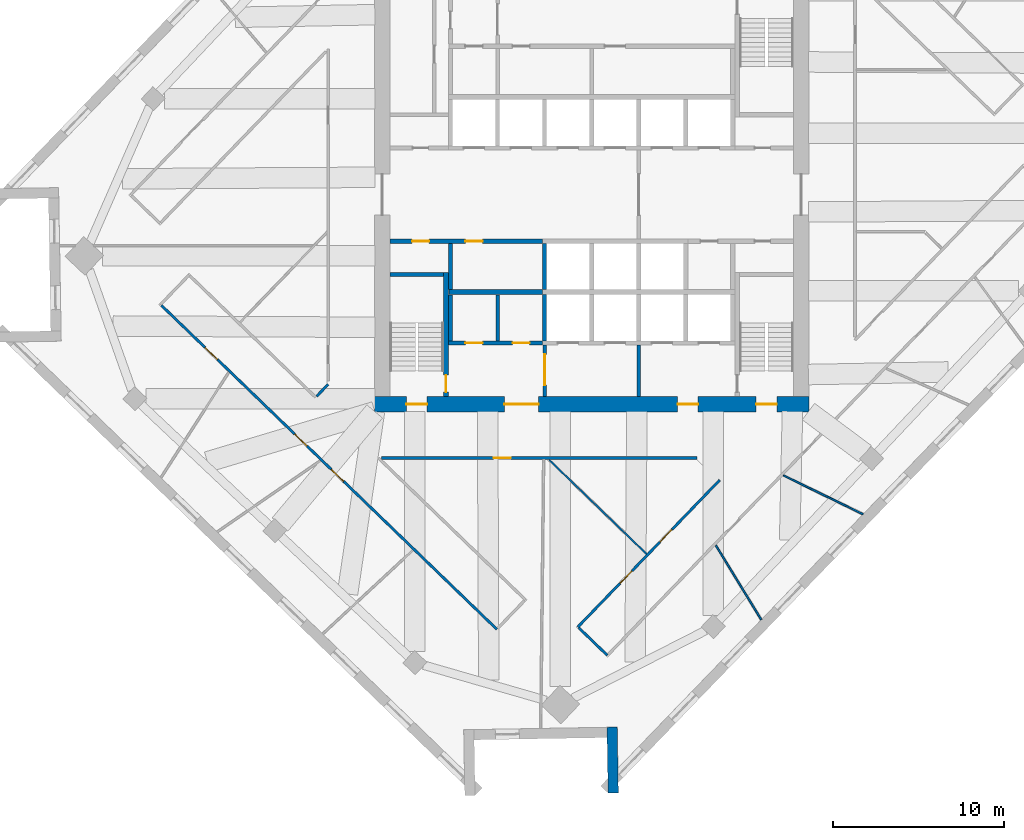
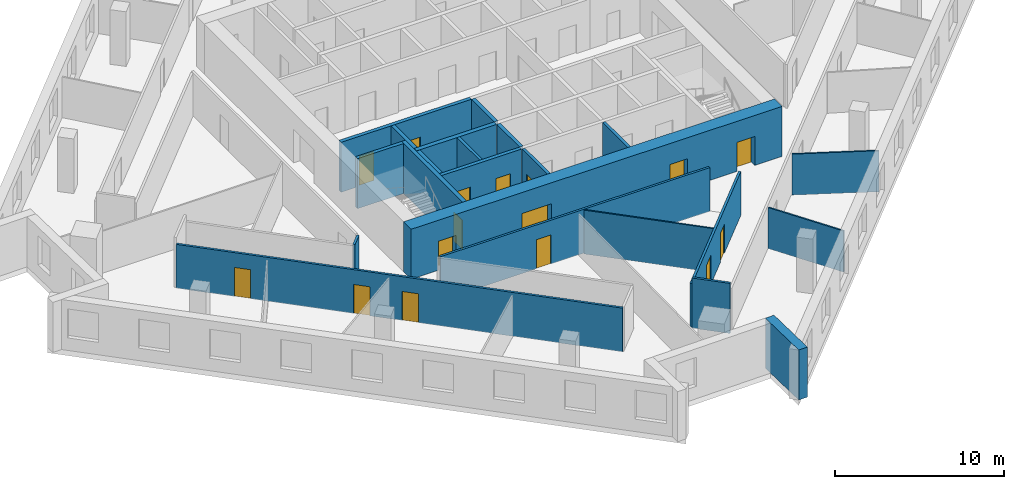
# One storey, part 6 of 13: 22 walls, 16 doors, 16 openings.
"""IFC4 building model written with IfcOpenShell, lengths in metres."""

from ifc_helpers import new_model, si_unit, direction, frame, frame_2d, origin, place, context, subcontext, project, spatial, rectangle, extrude, material, layer, layer_set, type_object, element, fill, save


model = new_model("IFC4")

# Units and contexts
model_context = context("Model", 3, precision=1e-05, world=origin(), true_north=direction((0.0, 1.0)))
body_context = subcontext(model_context, "Body", "Model", "MODEL_VIEW")
ifc_project = project(units=[si_unit("LENGTHUNIT", "METRE"), si_unit("AREAUNIT", "SQUARE_METRE"), si_unit("VOLUMEUNIT", "CUBIC_METRE"), si_unit("PLANEANGLEUNIT", "RADIAN"), si_unit("MASSUNIT", "GRAM", prefix="KILO")], contexts=[model_context])

# Site, building, storey
site_placement = place(None, origin())
site = spatial("IfcSite", under=ifc_project, at=site_placement, CompositionType="ELEMENT")
building_placement = place(site_placement, origin())
building = spatial("IfcBuilding", under=site, at=building_placement, Name="Dilmun Exchange Tower", CompositionType="ELEMENT")
storey_placement = place(building_placement, frame((0.0, 0.0, 209.300048828125)))
storey = spatial("IfcBuildingStorey", under=building, at=storey_placement, Name="L49", CompositionType="ELEMENT", Elevation=209.300048828125)

# Wall, opening, door
ifc_material_1 = material(Name="Concrete C40/50", Category="concrete")
ifc_layer_1 = layer(ifc_material_1, 0.199951171875)
ifc_layer_set_1 = layer_set([ifc_layer_1], Name="Concrete C40/50")
wall_type_1 = type_object("IfcWallType", Name="Core partition wall 200", PredefinedType="PARTITIONING", material=ifc_layer_set_1)
wall_1_placement = place(storey_placement, frame((-2.75, -11.794921875, 0.0), z_axis=(0.0, 0.0, 1.0), x_axis=(0.0, 1.0, 0.0)))
wall_1 = element("IfcWall", 1, at=wall_1_placement, inside=storey, type_object=wall_type_1, Name="L49 core partition wall 01", PredefinedType="PARTITIONING", context=body_context, shape_type="SweptSolid", body=[
    extrude(rectangle(XDim=2.989990234375, YDim=0.199951171875, at=frame_2d((1.4951171875, 0.0))), origin(), (0.0, 0.0, 1.0), 3.619873046875),
])
opening_1_placement = place(wall_1_placement, frame((0.657470703125, 0.0, 0.0)))
opening_1 = element("IfcOpeningElement", 2, at=opening_1_placement, cuts=wall_1, Name="Opening CD5", PredefinedType="OPENING", context=body_context, shape_type="SweptSolid", body=[
    extrude(rectangle(XDim=1.800048828125, YDim=2.10009765625, at=frame_2d((0.89990234375, 1.050048828125))), frame((0.0, 0.10986328125, 0.0), z_axis=(0.0, -1.0, 0.0), x_axis=(1.0, 0.0, 0.0)), (0.0, 0.0, 1.0), 0.219970703125),
])
ifc_material_2 = material(Name="Fire-rated steel door set", Category="steel")
door_type_1 = type_object("IfcDoorType", Name="Stair exit door 1800x2100", OperationType="SINGLE_SWING_LEFT", PredefinedType="DOOR", material=ifc_material_2)
door_1_placement = place(opening_1_placement, origin())
door_1 = element("IfcDoor", 3, at=door_1_placement, inside=storey, type_object=door_type_1, Name="L49 door Service lobby east", OperationType="SINGLE_SWING_LEFT", OverallHeight=2.10009765625, OverallWidth=1.800048828125, PredefinedType="DOOR", context=body_context, shape_type="SweptSolid", body=[
    extrude(rectangle(XDim=1.800048828125, YDim=2.10009765625, at=frame_2d((0.89990234375, 1.050048828125))), frame((0.0, 0.02490234375, 0.0), z_axis=(0.0, -1.0, 0.0), x_axis=(1.0, 0.0, 0.0)), (0.0, 0.0, 1.0), 0.050048828125),
])
fill(opening_1, door_1)

# Walls
wall_2_placement = place(storey_placement, frame((2.75, -11.794921875, 0.0), z_axis=(0.0, 0.0, 1.0), x_axis=(0.0, 1.0, 0.0)))
element("IfcWall", 4, at=wall_2_placement, inside=storey, type_object=wall_type_1, Name="L49 core partition wall 02", PredefinedType="PARTITIONING", context=body_context, shape_type="SweptSolid", body=[
    extrude(rectangle(XDim=2.989990234375, YDim=0.199951171875, at=frame_2d((1.4951171875, 0.0))), origin(), (0.0, 0.0, 1.0), 3.619873046875),
])
wall_3_placement = place(storey_placement, frame((-5.5, -8.544921875, 0.0), z_axis=(0.0, 0.0, 1.0), x_axis=(0.0, 1.0, 0.0)))
element("IfcWall", 5, at=wall_3_placement, inside=storey, type_object=wall_type_1, Name="L49 core partition wall 05", PredefinedType="PARTITIONING", context=body_context, shape_type="SweptSolid", body=[
    extrude(rectangle(XDim=2.68994140625, YDim=0.199951171875, at=frame_2d((1.344970703125, 0.0))), origin(), (0.0, 0.0, 1.0), 3.619873046875),
])

# Wall, openings, doors
ifc_layer_2 = layer(ifc_material_1, 0.25)
ifc_layer_set_2 = layer_set([ifc_layer_2], Name="Concrete C40/50")
wall_type_2 = type_object("IfcWallType", Name="Core partition wall 250", PredefinedType="PARTITIONING", material=ifc_layer_set_2)
wall_4_placement = place(storey_placement, frame((-8.3701171875, -8.675048828125, 0.0), z_axis=(0.0, 0.0, 1.0), x_axis=(1.0, 0.0, 0.0)))
wall_4 = element("IfcWall", 6, at=wall_4_placement, inside=storey, type_object=wall_type_2, Name="L49 core partition wall 03", PredefinedType="PARTITIONING", context=body_context, shape_type="SweptSolid", body=[
    extrude(rectangle(XDim=5.490234375, YDim=0.25, at=frame_2d((2.7451171875, 0.0))), origin(), (0.0, 0.0, 1.0), 3.619873046875),
])
opening_2_placement = place(wall_4_placement, frame((0.9951171875, 0.0, 0.0)))
opening_2 = element("IfcOpeningElement", 7, at=opening_2_placement, cuts=wall_4, Name="Opening CD4", PredefinedType="OPENING", context=body_context, shape_type="SweptSolid", body=[
    extrude(rectangle(XDim=1.0, YDim=2.10009765625, at=frame_2d((0.5, 1.050048828125))), frame((0.0, 0.135009765625, 0.0), z_axis=(0.0, -1.0, 0.0), x_axis=(1.0, 0.0, 0.0)), (0.0, 0.0, 1.0), 0.27001953125),
])
opening_3_placement = place(wall_4_placement, frame((3.7451171875, 0.0, 0.0)))
opening_3 = element("IfcOpeningElement", 8, at=opening_3_placement, cuts=wall_4, Name="Opening CD4", PredefinedType="OPENING", context=body_context, shape_type="SweptSolid", body=[
    extrude(rectangle(XDim=1.0, YDim=2.10009765625, at=frame_2d((0.5, 1.050048828125))), frame((0.0, 0.135009765625, 0.0), z_axis=(0.0, -1.0, 0.0), x_axis=(1.0, 0.0, 0.0)), (0.0, 0.0, 1.0), 0.27001953125),
])
door_type_2 = type_object("IfcDoorType", Name="Core room door 1000x2100", OperationType="SINGLE_SWING_LEFT", PredefinedType="DOOR", material=ifc_material_2)
door_2_placement = place(opening_2_placement, origin())
door_2 = element("IfcDoor", 9, at=door_2_placement, inside=storey, type_object=door_type_2, Name="L49 door Male WC", OperationType="SINGLE_SWING_RIGHT", OverallHeight=2.10009765625, OverallWidth=1.0, PredefinedType="DOOR", context=body_context, shape_type="SweptSolid", body=[
    extrude(rectangle(XDim=1.0, YDim=2.10009765625, at=frame_2d((0.5, 1.050048828125))), frame((0.0, 0.02490234375, 0.0), z_axis=(0.0, -1.0, 0.0), x_axis=(1.0, 0.0, 0.0)), (0.0, 0.0, 1.0), 0.050048828125),
])
fill(opening_2, door_2)
door_3_placement = place(opening_3_placement, origin())
door_3 = element("IfcDoor", 10, at=door_3_placement, inside=storey, type_object=door_type_2, Name="L49 door Female WC", OperationType="SINGLE_SWING_RIGHT", OverallHeight=2.10009765625, OverallWidth=1.0, PredefinedType="DOOR", context=body_context, shape_type="SweptSolid", body=[
    extrude(rectangle(XDim=1.0, YDim=2.10009765625, at=frame_2d((0.5, 1.050048828125))), frame((0.0, 0.02490234375, 0.0), z_axis=(0.0, -1.0, 0.0), x_axis=(1.0, 0.0, 0.0)), (0.0, 0.0, 1.0), 0.050048828125),
])
fill(opening_3, door_3)

# Walls
for number, where, z_axis, x_axis, name in (
    (11, (-8.25, -8.544921875, 0.0), (0.0, 0.0, 1.0), (0.0, 1.0, 0.0), "L49 core partition wall 04"),
    (12, (-8.25, -5.544921875, 0.0), (0.0, 0.0, 1.0), (0.0, 1.0, 0.0), "L49 core partition wall 07"),
):
    element("IfcWall", number, at=place(storey_placement, frame(where, z_axis=z_axis, x_axis=x_axis)), inside=storey, type_object=wall_type_2, Name=name, PredefinedType="PARTITIONING", context=body_context, shape_type="SweptSolid", body=[
        extrude(rectangle(XDim=2.68994140625, YDim=0.25, at=frame_2d((1.344970703125, 0.0))), origin(), (0.0, 0.0, 1.0), 3.619873046875),
    ])

# Wall, openings, doors
wall_5_placement = place(storey_placement, frame((-11.794921875, -2.72509765625, 0.0), z_axis=(0.0, 0.0, 1.0), x_axis=(1.0, 0.0, 0.0)))
wall_5 = element("IfcWall", 13, at=wall_5_placement, inside=storey, type_object=wall_type_2, Name="L49 core partition wall 09", PredefinedType="PARTITIONING", context=body_context, shape_type="SweptSolid", body=[
    extrude(rectangle(XDim=8.9150390625, YDim=0.25, at=frame_2d((4.45751953125, 0.0))), origin(), (0.0, 0.0, 1.0), 3.619873046875),
])
opening_4_placement = place(wall_5_placement, frame((1.294921875, 0.0, 0.0)))
opening_4 = element("IfcOpeningElement", 14, at=opening_4_placement, cuts=wall_5, Name="Opening CD4", PredefinedType="OPENING", context=body_context, shape_type="SweptSolid", body=[
    extrude(rectangle(XDim=1.0, YDim=2.10009765625, at=frame_2d((0.5, 1.050048828125))), frame((0.0, 0.135009765625, 0.0), z_axis=(0.0, -1.0, 0.0), x_axis=(1.0, 0.0, 0.0)), (0.0, 0.0, 1.0), 0.27001953125),
])
opening_5_placement = place(wall_5_placement, frame((4.419921875, 0.0, 0.0)))
opening_5 = element("IfcOpeningElement", 15, at=opening_5_placement, cuts=wall_5, Name="Opening CD4", PredefinedType="OPENING", context=body_context, shape_type="SweptSolid", body=[
    extrude(rectangle(XDim=1.0, YDim=2.10009765625, at=frame_2d((0.5, 1.050048828125))), frame((0.0, 0.135009765625, 0.0), z_axis=(0.0, -1.0, 0.0), x_axis=(1.0, 0.0, 0.0)), (0.0, 0.0, 1.0), 0.27001953125),
])
door_4_placement = place(opening_4_placement, origin())
door_4 = element("IfcDoor", 16, at=door_4_placement, inside=storey, type_object=door_type_2, Name="L49 door Accessible WC", OperationType="SINGLE_SWING_RIGHT", OverallHeight=2.10009765625, OverallWidth=1.0, PredefinedType="DOOR", context=body_context, shape_type="SweptSolid", body=[
    extrude(rectangle(XDim=1.0, YDim=2.10009765625, at=frame_2d((0.5, 1.050048828125))), frame((0.0, 0.02490234375, 0.0), z_axis=(0.0, -1.0, 0.0), x_axis=(1.0, 0.0, 0.0)), (0.0, 0.0, 1.0), 0.050048828125),
])
fill(opening_4, door_4)
door_5_placement = place(opening_5_placement, origin())
door_5 = element("IfcDoor", 17, at=door_5_placement, inside=storey, type_object=door_type_2, Name="L49 door Archive store", OperationType="SINGLE_SWING_RIGHT", OverallHeight=2.10009765625, OverallWidth=1.0, PredefinedType="DOOR", context=body_context, shape_type="SweptSolid", body=[
    extrude(rectangle(XDim=1.0, YDim=2.10009765625, at=frame_2d((0.5, 1.050048828125))), frame((0.0, 0.02490234375, 0.0), z_axis=(0.0, -1.0, 0.0), x_axis=(1.0, 0.0, 0.0)), (0.0, 0.0, 1.0), 0.050048828125),
])
fill(opening_5, door_5)

# Wall
ifc_layer_3 = layer(ifc_material_1, 0.300048828125)
ifc_layer_set_3 = layer_set([ifc_layer_3], Name="Concrete C40/50")
wall_type_3 = type_object("IfcWallType", Name="Core partition wall 300", PredefinedType="PARTITIONING", material=ifc_layer_set_3)
wall_6_placement = place(storey_placement, frame((-8.35009765625, -5.699951171875, 0.0), z_axis=(0.0, 0.0, 1.0), x_axis=(1.0, 0.0, 0.0)))
element("IfcWall", 18, at=wall_6_placement, inside=storey, type_object=wall_type_3, Name="L49 core partition wall 06", PredefinedType="PARTITIONING", context=body_context, shape_type="SweptSolid", body=[
    extrude(rectangle(XDim=5.47021484375, YDim=0.300048828125, at=frame_2d((2.735107421875, 0.0))), origin(), (0.0, 0.0, 1.0), 3.619873046875),
])

# Wall, openings, doors
ifc_material_3 = material(Name="Concrete C60/75", Category="concrete")
ifc_layer_4 = layer(ifc_material_3, 0.89990234375)
ifc_layer_set_4 = layer_set([ifc_layer_4], Name="Concrete C60/75")
wall_type_4 = type_object("IfcWallType", Name="Core shear wall 900 Concrete C60/75", PredefinedType="SHEAR", material=ifc_layer_set_4)
wall_7_placement = place(storey_placement, frame((-12.699951171875, -12.25, 0.0), z_axis=(0.0, 0.0, 1.0), x_axis=(1.0, 0.0, 0.0)))
wall_7 = element("IfcWall", 19, at=wall_7_placement, inside=storey, type_object=wall_type_4, Name="L49 core shear wall S", PredefinedType="SHEAR", context=body_context, shape_type="SweptSolid", body=[
    extrude(rectangle(XDim=25.39990234375, YDim=0.89990234375, at=frame_2d((12.699951171875, 0.0))), origin(), (0.0, 0.0, 1.0), 3.619873046875),
])
opening_6_placement = place(wall_7_placement, frame((7.60009765625, 0.0, 0.0)))
opening_6 = element("IfcOpeningElement", 20, at=opening_6_placement, cuts=wall_7, Name="Opening CD2", PredefinedType="OPENING", context=body_context, shape_type="SweptSolid", body=[
    extrude(rectangle(XDim=2.0, YDim=2.10009765625, at=frame_2d((1.0, 1.050048828125))), frame((0.0, 0.4599609375, 0.0), z_axis=(0.0, -1.0, 0.0), x_axis=(1.0, 0.0, 0.0)), (0.0, 0.0, 1.0), 0.919921875),
])
opening_7_placement = place(wall_7_placement, frame((17.72509765625, 0.0, 0.0)))
opening_7 = element("IfcOpeningElement", 21, at=opening_7_placement, cuts=wall_7, Name="Opening CD3", PredefinedType="OPENING", context=body_context, shape_type="SweptSolid", body=[
    extrude(rectangle(XDim=1.199951171875, YDim=2.10009765625, at=frame_2d((0.60009765625, 1.050048828125))), frame((0.0, 0.4599609375, 0.0), z_axis=(0.0, -1.0, 0.0), x_axis=(1.0, 0.0, 0.0)), (0.0, 0.0, 1.0), 0.919921875),
])
opening_8_placement = place(wall_7_placement, frame((1.875, 0.0, 0.0)))
opening_8 = element("IfcOpeningElement", 22, at=opening_8_placement, cuts=wall_7, Name="Opening CD3", PredefinedType="OPENING", context=body_context, shape_type="SweptSolid", body=[
    extrude(rectangle(XDim=1.199951171875, YDim=2.10009765625, at=frame_2d((0.60009765625, 1.050048828125))), frame((0.0, 0.4599609375, 0.0), z_axis=(0.0, -1.0, 0.0), x_axis=(1.0, 0.0, 0.0)), (0.0, 0.0, 1.0), 0.919921875),
])
opening_9_placement = place(wall_7_placement, frame((22.324951171875, 0.0, 0.0)))
opening_9 = element("IfcOpeningElement", 23, at=opening_9_placement, cuts=wall_7, Name="Opening CD3", PredefinedType="OPENING", context=body_context, shape_type="SweptSolid", body=[
    extrude(rectangle(XDim=1.199951171875, YDim=2.10009765625, at=frame_2d((0.60009765625, 1.050048828125))), frame((0.0, 0.4599609375, 0.0), z_axis=(0.0, -1.0, 0.0), x_axis=(1.0, 0.0, 0.0)), (0.0, 0.0, 1.0), 0.919921875),
])
door_type_3 = type_object("IfcDoorType", Name="Core service door 2000x2100", OperationType="DOUBLE_DOOR_DOUBLE_SWING", PredefinedType="DOOR", material=ifc_material_2)
door_6_placement = place(opening_6_placement, origin())
door_6 = element("IfcDoor", 24, at=door_6_placement, inside=storey, type_object=door_type_3, Name="L49 door South service lobby", OperationType="SINGLE_SWING_LEFT", OverallHeight=2.10009765625, OverallWidth=2.0, PredefinedType="DOOR", context=body_context, shape_type="SweptSolid", body=[
    extrude(rectangle(XDim=2.0, YDim=2.10009765625, at=frame_2d((1.0, 1.050048828125))), frame((0.0, 0.02490234375, 0.0), z_axis=(0.0, -1.0, 0.0), x_axis=(1.0, 0.0, 0.0)), (0.0, 0.0, 1.0), 0.050048828125),
])
fill(opening_6, door_6)
door_type_4 = type_object("IfcDoorType", Name="Stair exit door 1200x2100", OperationType="SINGLE_SWING_LEFT", PredefinedType="DOOR", material=ifc_material_2)
door_7_placement = place(opening_7_placement, origin())
door_7 = element("IfcDoor", 25, at=door_7_placement, inside=storey, type_object=door_type_4, Name="L49 door Fire-fighting lobby", OperationType="SINGLE_SWING_LEFT", OverallHeight=2.10009765625, OverallWidth=1.199951171875, PredefinedType="DOOR", context=body_context, shape_type="SweptSolid", body=[
    extrude(rectangle(XDim=1.199951171875, YDim=2.10009765625, at=frame_2d((0.60009765625, 1.050048828125))), frame((0.0, 0.02490234375, 0.0), z_axis=(0.0, -1.0, 0.0), x_axis=(1.0, 0.0, 0.0)), (0.0, 0.0, 1.0), 0.050048828125),
])
fill(opening_7, door_7)
door_8_placement = place(opening_8_placement, origin())
door_8 = element("IfcDoor", 26, at=door_8_placement, inside=storey, type_object=door_type_4, Name="L49 door Stair ST2", OperationType="SINGLE_SWING_LEFT", OverallHeight=2.10009765625, OverallWidth=1.199951171875, PredefinedType="DOOR", context=body_context, shape_type="SweptSolid", body=[
    extrude(rectangle(XDim=1.199951171875, YDim=2.10009765625, at=frame_2d((0.60009765625, 1.050048828125))), frame((0.0, 0.02490234375, 0.0), z_axis=(0.0, -1.0, 0.0), x_axis=(1.0, 0.0, 0.0)), (0.0, 0.0, 1.0), 0.050048828125),
])
fill(opening_8, door_8)
door_9_placement = place(opening_9_placement, origin())
door_9 = element("IfcDoor", 27, at=door_9_placement, inside=storey, type_object=door_type_4, Name="L49 door Stair ST3", OperationType="SINGLE_SWING_LEFT", OverallHeight=2.10009765625, OverallWidth=1.199951171875, PredefinedType="DOOR", context=body_context, shape_type="SweptSolid", body=[
    extrude(rectangle(XDim=1.199951171875, YDim=2.10009765625, at=frame_2d((0.60009765625, 1.050048828125))), frame((0.0, 0.02490234375, 0.0), z_axis=(0.0, -1.0, 0.0), x_axis=(1.0, 0.0, 0.0)), (0.0, 0.0, 1.0), 0.050048828125),
])
fill(opening_9, door_9)

ifc_material_4 = material(Name="Corridor wall 150")
ifc_layer_5 = layer(ifc_material_4, 0.14990234375)
ifc_layer_set_5 = layer_set([ifc_layer_5], Name="Corridor wall 150")
wall_type_5 = type_object("IfcWallType", Name="Corridor wall 150", PredefinedType="PARTITIONING", material=ifc_layer_set_5)
wall_8_placement = place(storey_placement, frame((-25.15087890625, -6.47900390625, 0.0), z_axis=(0.0, 0.0, 1.0), x_axis=(0.719341269489, -0.694656849106, 0.0)))
wall_8 = element("IfcWall", 28, at=wall_8_placement, inside=storey, type_object=wall_type_5, Name="Corridor wall", PredefinedType="PARTITIONING", context=body_context, shape_type="SweptSolid", body=[
    extrude(rectangle(XDim=27.258056640625, YDim=0.14990234375, at=frame_2d((13.62890625, 0.0))), origin(), (0.0, 0.0, 1.0), 3.169921875),
])
opening_10_placement = place(wall_8_placement, frame((3.550048828125, 0.0, 0.0)))
opening_10 = element("IfcOpeningElement", 29, at=opening_10_placement, cuts=wall_8, Name="Opening TF48-D01", PredefinedType="OPENING", context=body_context, shape_type="SweptSolid", body=[
    extrude(rectangle(XDim=1.0, YDim=2.10009765625, at=frame_2d((0.5, 1.050048828125))), frame((0.0, 0.0849609375, 0.0), z_axis=(0.0, -1.0, 0.0), x_axis=(1.0, 0.0, 0.0)), (0.0, 0.0, 1.0), 0.169921875),
])
opening_11_placement = place(wall_8_placement, frame((10.831787109375, 0.0, 0.0)))
opening_11 = element("IfcOpeningElement", 30, at=opening_11_placement, cuts=wall_8, Name="Opening TF48-D04", PredefinedType="OPENING", context=body_context, shape_type="SweptSolid", body=[
    extrude(rectangle(XDim=1.0, YDim=2.10009765625, at=frame_2d((0.5, 1.050048828125))), frame((0.0, 0.0849609375, 0.0), z_axis=(0.0, -1.0, 0.0), x_axis=(1.0, 0.0, 0.0)), (0.0, 0.0, 1.0), 0.169921875),
])
opening_12_placement = place(wall_8_placement, frame((13.79736328125, 0.0, 0.0)))
opening_12 = element("IfcOpeningElement", 31, at=opening_12_placement, cuts=wall_8, Name="Opening TF48-D07", PredefinedType="OPENING", context=body_context, shape_type="SweptSolid", body=[
    extrude(rectangle(XDim=1.0, YDim=2.10009765625, at=frame_2d((0.5, 1.050048828125))), frame((0.0, 0.0849609375, 0.0), z_axis=(0.0, -1.0, 0.0), x_axis=(1.0, 0.0, 0.0)), (0.0, 0.0, 1.0), 0.169921875),
])
ifc_material_5 = material(Name="Fire door 1000 x 2100")
door_type_5 = type_object("IfcDoorType", Name="Fire door 1000 x 2100", OperationType="NOTDEFINED", PredefinedType="DOOR", material=ifc_material_5)
door_10_placement = place(opening_10_placement, frame((1.0, 0.0, 0.0), z_axis=(0.0, 0.0, 1.0), x_axis=(-1.0, 0.0, 0.0)))
door_10 = element("IfcDoor", 32, at=door_10_placement, inside=storey, type_object=door_type_5, Name="Door TF48-D01", OperationType="SINGLE_SWING_LEFT", OverallHeight=2.10009765625, OverallWidth=1.0, PredefinedType="DOOR", context=body_context, shape_type="SweptSolid", body=[
    extrude(rectangle(XDim=1.0, YDim=2.10009765625, at=frame_2d((0.5, 1.050048828125))), frame((0.0, 0.02490234375, 0.0), z_axis=(0.0, -1.0, 0.0), x_axis=(1.0, 0.0, 0.0)), (0.0, 0.0, 1.0), 0.050048828125),
])
fill(opening_10, door_10)
door_11_placement = place(opening_11_placement, frame((1.0, 0.0, 0.0), z_axis=(0.0, 0.0, 1.0), x_axis=(-1.0, 0.0, 0.0)))
door_11 = element("IfcDoor", 33, at=door_11_placement, inside=storey, type_object=door_type_5, Name="Door TF48-D04", OperationType="SINGLE_SWING_RIGHT", OverallHeight=2.10009765625, OverallWidth=1.0, PredefinedType="DOOR", context=body_context, shape_type="SweptSolid", body=[
    extrude(rectangle(XDim=1.0, YDim=2.10009765625, at=frame_2d((0.5, 1.050048828125))), frame((0.0, 0.02490234375, 0.0), z_axis=(0.0, -1.0, 0.0), x_axis=(1.0, 0.0, 0.0)), (0.0, 0.0, 1.0), 0.050048828125),
])
fill(opening_11, door_11)
door_12_placement = place(opening_12_placement, frame((1.0, 0.0, 0.0), z_axis=(0.0, 0.0, 1.0), x_axis=(-1.0, 0.0, 0.0)))
door_12 = element("IfcDoor", 34, at=door_12_placement, inside=storey, type_object=door_type_5, Name="Door TF48-D07", OperationType="SINGLE_SWING_RIGHT", OverallHeight=2.10009765625, OverallWidth=1.0, PredefinedType="DOOR", context=body_context, shape_type="SweptSolid", body=[
    extrude(rectangle(XDim=1.0, YDim=2.10009765625, at=frame_2d((0.5, 1.050048828125))), frame((0.0, 0.02490234375, 0.0), z_axis=(0.0, -1.0, 0.0), x_axis=(1.0, 0.0, 0.0)), (0.0, 0.0, 1.0), 0.050048828125),
])
fill(opening_12, door_12)

# Wall
wall_9_placement = place(storey_placement, frame((-16.0830078125, -11.7958984375, 0.0), z_axis=(0.0, 0.0, 1.0), x_axis=(0.694957895629, 0.719050431682, 0.0)))
element("IfcWall", 35, at=wall_9_placement, inside=storey, type_object=wall_type_5, Name="Corridor wall", PredefinedType="PARTITIONING", context=body_context, shape_type="SweptSolid", body=[
    extrude(rectangle(XDim=0.98291015625, YDim=0.14990234375, at=frame_2d((0.491455078125, 0.0))), origin(), (0.0, 0.0, 1.0), 3.169921875),
])

# Wall, opening, door
wall_10_placement = place(storey_placement, frame((-12.2734375, -15.39990234375, 0.0), z_axis=(0.0, 0.0, 1.0), x_axis=(1.0, 0.0, 0.0)))
wall_10 = element("IfcWall", 36, at=wall_10_placement, inside=storey, type_object=wall_type_5, Name="Corridor wall", PredefinedType="PARTITIONING", context=body_context, shape_type="SweptSolid", body=[
    extrude(rectangle(XDim=18.42333984375, YDim=0.14990234375, at=frame_2d((9.211669921875, 0.0))), origin(), (0.0, 0.0, 1.0), 3.169921875),
])
opening_13_placement = place(wall_10_placement, frame((6.550048828125, 0.0, 0.0)))
opening_13 = element("IfcOpeningElement", 37, at=opening_13_placement, cuts=wall_10, Name="Opening TF48-D09", PredefinedType="OPENING", context=body_context, shape_type="SweptSolid", body=[
    extrude(rectangle(XDim=1.0, YDim=2.10009765625, at=frame_2d((0.5, 1.050048828125))), frame((0.0, 0.0849609375, 0.0), z_axis=(0.0, -1.0, 0.0), x_axis=(1.0, 0.0, 0.0)), (0.0, 0.0, 1.0), 0.169921875),
])
door_13_placement = place(opening_13_placement, frame((1.0, 0.0, 0.0), z_axis=(0.0, 0.0, 1.0), x_axis=(-1.0, 0.0, 0.0)))
door_13 = element("IfcDoor", 38, at=door_13_placement, inside=storey, type_object=door_type_5, Name="Door TF48-D09", OperationType="SINGLE_SWING_LEFT", OverallHeight=2.10009765625, OverallWidth=1.0, PredefinedType="DOOR", context=body_context, shape_type="SweptSolid", body=[
    extrude(rectangle(XDim=1.0, YDim=2.10009765625, at=frame_2d((0.5, 1.050048828125))), frame((0.0, 0.02490234375, 0.0), z_axis=(0.0, -1.0, 0.0), x_axis=(1.0, 0.0, 0.0)), (0.0, 0.0, 1.0), 0.050048828125),
])
fill(opening_13, door_13)

# Wall, openings, doors
wall_11_placement = place(storey_placement, frame((-0.802001953125, -25.277099609375, 0.0), z_axis=(0.0, 0.0, 1.0), x_axis=(0.69467482151, 0.71932391338, 0.0)))
wall_11 = element("IfcWall", 39, at=wall_11_placement, inside=storey, type_object=wall_type_5, Name="Corridor wall", PredefinedType="PARTITIONING", context=body_context, shape_type="SweptSolid", body=[
    extrude(rectangle(XDim=11.93505859375, YDim=0.14990234375, at=frame_2d((5.967529296875, 0.0))), origin(), (0.0, 0.0, 1.0), 3.169921875),
])
opening_14_placement = place(wall_11_placement, frame((3.550048828125, 0.0, 0.0)))
opening_14 = element("IfcOpeningElement", 40, at=opening_14_placement, cuts=wall_11, Name="Opening TF48-D13", PredefinedType="OPENING", context=body_context, shape_type="SweptSolid", body=[
    extrude(rectangle(XDim=1.0, YDim=2.10009765625, at=frame_2d((0.5, 1.050048828125))), frame((0.0, 0.0849609375, 0.0), z_axis=(0.0, -1.0, 0.0), x_axis=(1.0, 0.0, 0.0)), (0.0, 0.0, 1.0), 0.169921875),
])
opening_15_placement = place(wall_11_placement, frame((6.90625, 0.0, 0.0)))
opening_15 = element("IfcOpeningElement", 41, at=opening_15_placement, cuts=wall_11, Name="Opening TF48-D14", PredefinedType="OPENING", context=body_context, shape_type="SweptSolid", body=[
    extrude(rectangle(XDim=1.0, YDim=2.10009765625, at=frame_2d((0.5, 1.050048828125))), frame((0.0, 0.0849609375, 0.0), z_axis=(0.0, -1.0, 0.0), x_axis=(1.0, 0.0, 0.0)), (0.0, 0.0, 1.0), 0.169921875),
])
door_14_placement = place(opening_14_placement, origin())
door_14 = element("IfcDoor", 42, at=door_14_placement, inside=storey, type_object=door_type_5, Name="Door TF48-D13", OperationType="SINGLE_SWING_RIGHT", OverallHeight=2.10009765625, OverallWidth=1.0, PredefinedType="DOOR", context=body_context, shape_type="SweptSolid", body=[
    extrude(rectangle(XDim=1.0, YDim=2.10009765625, at=frame_2d((0.5, 1.050048828125))), frame((0.0, 0.02490234375, 0.0), z_axis=(0.0, -1.0, 0.0), x_axis=(1.0, 0.0, 0.0)), (0.0, 0.0, 1.0), 0.050048828125),
])
fill(opening_14, door_14)
door_15_placement = place(opening_15_placement, origin())
door_15 = element("IfcDoor", 43, at=door_15_placement, inside=storey, type_object=door_type_5, Name="Door TF48-D14", OperationType="SINGLE_SWING_RIGHT", OverallHeight=2.10009765625, OverallWidth=1.0, PredefinedType="DOOR", context=body_context, shape_type="SweptSolid", body=[
    extrude(rectangle(XDim=1.0, YDim=2.10009765625, at=frame_2d((0.5, 1.050048828125))), frame((0.0, 0.02490234375, 0.0), z_axis=(0.0, -1.0, 0.0), x_axis=(1.0, 0.0, 0.0)), (0.0, 0.0, 1.0), 0.050048828125),
])
fill(opening_15, door_15)

# Walls
wall_12_placement = place(storey_placement, frame((-0.748046875, -25.3291015625, 0.0), z_axis=(0.0, 0.0, 1.0), x_axis=(0.719490097839, -0.69450269914, 0.0)))
element("IfcWall", 44, at=wall_12_placement, inside=storey, type_object=wall_type_5, Name="Corridor wall", PredefinedType="PARTITIONING", context=body_context, shape_type="SweptSolid", body=[
    extrude(rectangle(XDim=2.325439453125, YDim=0.14990234375, at=frame_2d((1.16259765625, 0.0))), origin(), (0.0, 0.0, 1.0), 3.619873046875),
])
ifc_layer_6 = layer(ifc_material_1, 0.25)
ifc_layer_set_6 = layer_set([ifc_layer_6], Name="Concrete C40/50")
wall_type_6 = type_object("IfcWallType", Name="Lift shaft wall 250", PredefinedType="SOLIDWALL", material=ifc_layer_set_6)
for number, where, z_axis, x_axis, name in (
    (45, (-2.75, -5.550048828125, 0.0), (0.0, 0.0, 1.0), (0.0, 1.0, 0.0), "L49 lift shaft divider S12"),
    (46, (-2.75, -8.550048828125, 0.0), (0.0, 0.0, 1.0), (0.0, 1.0, 0.0), "L49 lift shaft divider S22"),
):
    element("IfcWall", number, at=place(storey_placement, frame(where, z_axis=z_axis, x_axis=x_axis)), inside=storey, type_object=wall_type_6, Name=name, PredefinedType="SOLIDWALL", context=body_context, shape_type="SweptSolid", body=[
        extrude(rectangle(XDim=2.699951171875, YDim=0.25, at=frame_2d((1.35009765625, 0.0))), origin(), (0.0, 0.0, 1.0), 3.619873046875),
    ])
ifc_material_6 = material(Name="Partition 100")
ifc_layer_7 = layer(ifc_material_6, 0.10009765625)
ifc_layer_set_7 = layer_set([ifc_layer_7], Name="Partition 100")
wall_type_7 = type_object("IfcWallType", Name="Partition 100", PredefinedType="PARTITIONING", material=ifc_layer_set_7)
wall_13_placement = place(storey_placement, frame((-2.484130859375, -15.510986328125, 0.0), z_axis=(0.0, 0.0, 1.0), x_axis=(0.719269714203, -0.694730939451, 0.0)))
element("IfcWall", 47, at=wall_13_placement, inside=storey, type_object=wall_type_7, Name="Partition", PredefinedType="PARTITIONING", context=body_context, shape_type="SweptSolid", body=[
    extrude(rectangle(XDim=7.91943359375, YDim=0.10009765625, at=frame_2d((3.959716796875, 0.0))), origin(), (0.0, 0.0, 1.0), 3.169921875),
])
wall_14_placement = place(storey_placement, frame((7.26025390625, -20.509033203125, 0.0), z_axis=(0.0, 0.0, 1.0), x_axis=(0.522477715675, -0.852652940312, 0.0)))
element("IfcWall", 48, at=wall_14_placement, inside=storey, type_object=wall_type_7, Name="Partition", PredefinedType="PARTITIONING", context=body_context, shape_type="SweptSolid", body=[
    extrude(rectangle(XDim=5.091064453125, YDim=0.10009765625, at=frame_2d((2.54541015625, 0.0))), origin(), (0.0, 0.0, 1.0), 2.969970703125),
])
wall_15_placement = place(storey_placement, frame((11.215576171875, -16.417724609375, 0.0), z_axis=(0.0, 0.0, 1.0), x_axis=(0.898851336675, -0.438253664625, 0.0)))
element("IfcWall", 49, at=wall_15_placement, inside=storey, type_object=wall_type_7, Name="Partition", PredefinedType="PARTITIONING", context=body_context, shape_type="SweptSolid", body=[
    extrude(rectangle(XDim=5.17919921875, YDim=0.10009765625, at=frame_2d((2.589599609375, 0.0))), origin(), (0.0, 0.0, 1.0), 2.969970703125),
])
ifc_material_7 = material(Name="Precast concrete C50/60", Category="concrete")
ifc_layer_8 = layer(ifc_material_7, 0.60009765625)
ifc_layer_set_8 = layer_set([ifc_layer_8], Name="Precast concrete C50/60")
wall_type_8 = type_object("IfcWallType", Name="Precast stone-clad wall 600", PredefinedType="STANDARD", material=ifc_layer_set_8)
wall_16_placement = place(storey_placement, frame((1.197265625, -31.13916015625, 0.0), z_axis=(0.0, 0.0, 1.0), x_axis=(0.017454332947, -0.999847661527, 0.0)))
element("IfcWall", 50, at=wall_16_placement, inside=storey, type_object=wall_type_8, Name="Facade wall L49-10", PredefinedType="STANDARD", context=body_context, shape_type="SweptSolid", body=[
    extrude(rectangle(XDim=3.846435546875, YDim=0.60009765625, at=frame_2d((1.92333984375, 0.0))), origin(), (0.0, 0.0, 1.0), 3.619873046875),
])
ifc_layer_9 = layer(ifc_material_1, 0.25)
ifc_layer_set_9 = layer_set([ifc_layer_9], Name="Concrete C40/50")
wall_type_9 = type_object("IfcWallType", Name="Stair end wall 250", PredefinedType="SOLIDWALL", material=ifc_layer_set_9)
wall_17_placement = place(storey_placement, frame((-8.64990234375, -4.675048828125, 0.0), z_axis=(0.0, 0.0, 1.0), x_axis=(-1.0, 0.0, 0.0)))
element("IfcWall", 51, at=wall_17_placement, inside=storey, type_object=wall_type_9, Name="L49 ST2 far wall", PredefinedType="SOLIDWALL", context=body_context, shape_type="SweptSolid", body=[
    extrude(rectangle(XDim=3.150146484375, YDim=0.25, at=frame_2d((1.5751953125, 0.0))), origin(), (0.0, 0.0, 1.0), 3.619873046875),
])

# Wall, opening, door
ifc_layer_10 = layer(ifc_material_1, 0.27490234375)
ifc_layer_set_10 = layer_set([ifc_layer_10], Name="Concrete C40/50")
wall_type_10 = type_object("IfcWallType", Name="Stair wall 275", PredefinedType="SOLIDWALL", material=ifc_layer_set_10)
wall_18_placement = place(storey_placement, frame((-8.512451171875, -4.550048828125, 0.0), z_axis=(0.0, 0.0, 1.0), x_axis=(0.0, -1.0, 0.0)))
wall_18 = element("IfcWall", 52, at=wall_18_placement, inside=storey, type_object=wall_type_10, Name="L49 ST2 wall to lift block", PredefinedType="SOLIDWALL", context=body_context, shape_type="SweptSolid", body=[
    extrude(rectangle(XDim=7.25, YDim=0.27490234375, at=frame_2d((3.625, 0.0))), origin(), (0.0, 0.0, 1.0), 3.619873046875),
])
opening_16_placement = place(wall_18_placement, frame((6.0, 0.0, 0.0)))
opening_16 = element("IfcOpeningElement", 53, at=opening_16_placement, cuts=wall_18, Name="Opening CD4", PredefinedType="OPENING", context=body_context, shape_type="SweptSolid", body=[
    extrude(rectangle(XDim=1.0, YDim=2.10009765625, at=frame_2d((0.5, 1.050048828125))), frame((0.0, 0.1474609375, 0.0), z_axis=(0.0, -1.0, 0.0), x_axis=(1.0, 0.0, 0.0)), (0.0, 0.0, 1.0), 0.294921875),
])
door_16_placement = place(opening_16_placement, origin())
door_16 = element("IfcDoor", 54, at=door_16_placement, inside=storey, type_object=door_type_2, Name="L49 door ST2 from lobby", OperationType="SINGLE_SWING_LEFT", OverallHeight=2.10009765625, OverallWidth=1.0, PredefinedType="DOOR", context=body_context, shape_type="SweptSolid", body=[
    extrude(rectangle(XDim=1.0, YDim=2.10009765625, at=frame_2d((0.5, 1.050048828125))), frame((0.0, 0.02490234375, 0.0), z_axis=(0.0, -1.0, 0.0), x_axis=(1.0, 0.0, 0.0)), (0.0, 0.0, 1.0), 0.050048828125),
])
fill(opening_16, door_16)

save(model, "model.ifc")
